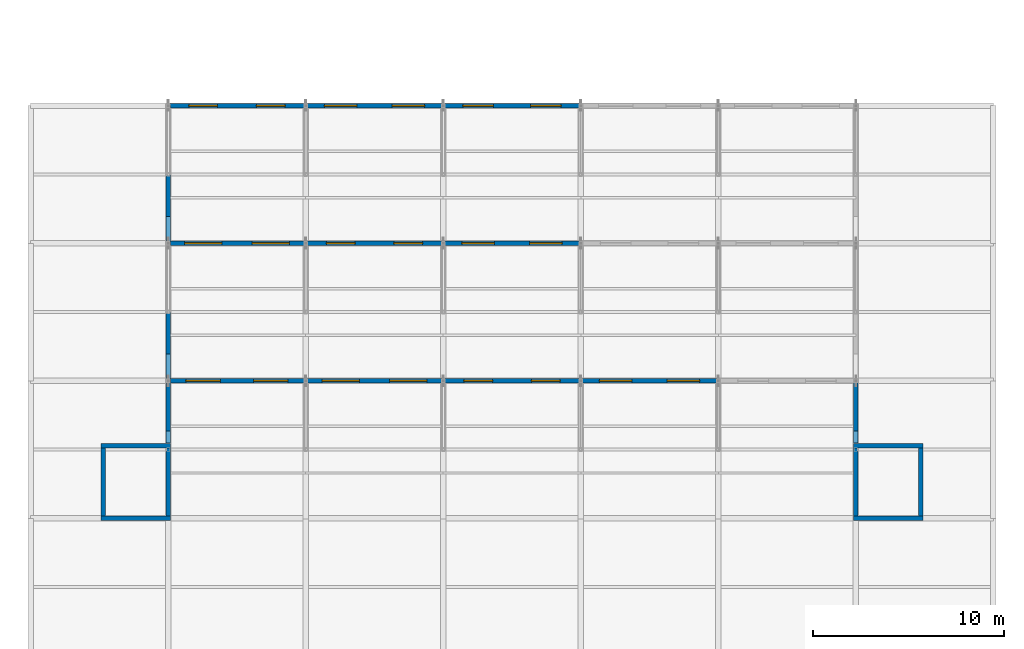
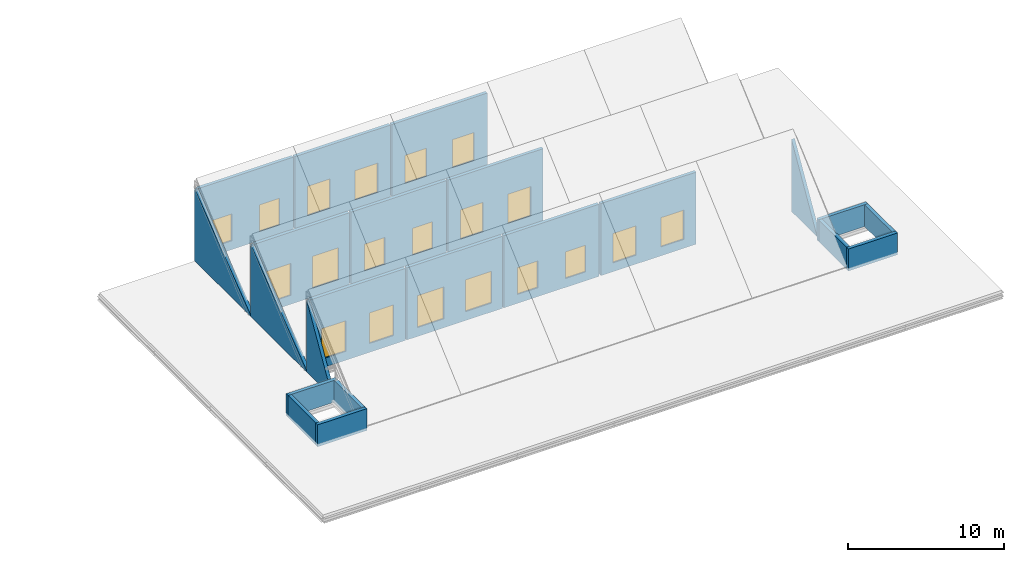
# One storey, part 25 of 31: 22 walls, 20 windows, 20 openings.
"""IFC4 building model written with IfcOpenShell, lengths in metres."""

from ifc_helpers import new_model, si_unit, direction, frame, frame_2d, origin, place, context, subcontext, project, spatial, polyline, rectangle, outline, extrude, material, layer, layer_set, type_object, element, fill, save


model = new_model("IFC4")

# Units and contexts
model_context = context("Model", 3, precision=1e-05, world=origin(), true_north=direction((0.0, 1.0)))
body_context = subcontext(model_context, "Body", "Model", "MODEL_VIEW")
ifc_project = project(units=[si_unit("LENGTHUNIT", "METRE"), si_unit("AREAUNIT", "SQUARE_METRE"), si_unit("VOLUMEUNIT", "CUBIC_METRE"), si_unit("PLANEANGLEUNIT", "RADIAN"), si_unit("MASSUNIT", "GRAM", prefix="KILO")], contexts=[model_context])

# Site, building, storey
site_placement = place(None, origin())
site = spatial("IfcSite", under=ifc_project, at=site_placement, CompositionType="ELEMENT")
building_placement = place(site_placement, origin())
building = spatial("IfcBuilding", under=site, at=building_placement, Name="Zlatovets Crest Museum", CompositionType="ELEMENT")
storey_placement = place(building_placement, frame((0.0, 0.0, 25.199951171875)))
storey = spatial("IfcBuildingStorey", under=building, at=storey_placement, Name="L05", CompositionType="ELEMENT", Elevation=25.199951171875)

# Walls
ifc_material_1 = material(Name="Concrete C35/45", Category="concrete")
ifc_layer_1 = layer(ifc_material_1, 0.25)
ifc_layer_set_1 = layer_set([ifc_layer_1], Name="Concrete C35/45")
wall_type_1 = type_object("IfcWallType", Name="CoreWall_SW02", PredefinedType="SHEAR", material=ifc_layer_set_1)
wall_1_placement = place(storey_placement, frame((61.27490234375, 7.199951171875, -0.219970703125), z_axis=(0.0, 0.0, 1.0), x_axis=(1.0, 0.0, 0.0)))
element("IfcWall", 1, at=wall_1_placement, inside=storey, type_object=wall_type_1, Name="Lift PL3 Overrun Wall S", PredefinedType="SHEAR", context=body_context, shape_type="SweptSolid", body=[
    extrude(rectangle(XDim=3.650146484375, YDim=0.25, at=frame_2d((1.8251953125, 0.0))), origin(), (0.0, 0.0, 1.0), 1.719970703125),
])
wall_2_placement = place(storey_placement, frame((64.800048828125, 7.324951171875, -0.219970703125), z_axis=(0.0, 0.0, 1.0), x_axis=(0.0, 1.0, 0.0)))
element("IfcWall", 2, at=wall_2_placement, inside=storey, type_object=wall_type_1, Name="Lift PL3 Overrun Wall E", PredefinedType="SHEAR", context=body_context, shape_type="SweptSolid", body=[
    extrude(rectangle(XDim=3.550048828125, YDim=0.25, at=frame_2d((1.77490234375, 0.0))), origin(), (0.0, 0.0, 1.0), 1.719970703125),
])
wall_3_placement = place(storey_placement, frame((64.925048828125, 11.0, -0.219970703125), z_axis=(0.0, 0.0, 1.0), x_axis=(-1.0, 0.0, 0.0)))
element("IfcWall", 3, at=wall_3_placement, inside=storey, type_object=wall_type_1, Name="Lift PL3 Overrun Wall N", PredefinedType="SHEAR", context=body_context, shape_type="SweptSolid", body=[
    extrude(rectangle(XDim=3.650146484375, YDim=0.25, at=frame_2d((1.8251953125, 0.0))), origin(), (0.0, 0.0, 1.0), 1.719970703125),
])
wall_4_placement = place(storey_placement, frame((61.39990234375, 10.875, -0.219970703125), z_axis=(0.0, 0.0, 1.0), x_axis=(0.0, -1.0, 0.0)))
element("IfcWall", 4, at=wall_4_placement, inside=storey, type_object=wall_type_1, Name="Lift PL3 Overrun Wall W", PredefinedType="SHEAR", context=body_context, shape_type="SweptSolid", body=[
    extrude(rectangle(XDim=3.550048828125, YDim=0.25, at=frame_2d((1.77490234375, 0.0))), origin(), (0.0, 0.0, 1.0), 1.719970703125),
])
wall_5_placement = place(storey_placement, frame((100.675048828125, 7.199951171875, -0.219970703125), z_axis=(0.0, 0.0, 1.0), x_axis=(1.0, 0.0, 0.0)))
element("IfcWall", 5, at=wall_5_placement, inside=storey, type_object=wall_type_1, Name="Lift PL5 Overrun Wall S", PredefinedType="SHEAR", context=body_context, shape_type="SweptSolid", body=[
    extrude(rectangle(XDim=3.64990234375, YDim=0.25, at=frame_2d((1.824951171875, 0.0))), origin(), (0.0, 0.0, 1.0), 1.719970703125),
])
wall_6_placement = place(storey_placement, frame((104.199951171875, 7.324951171875, -0.219970703125), z_axis=(0.0, 0.0, 1.0), x_axis=(0.0, 1.0, 0.0)))
element("IfcWall", 6, at=wall_6_placement, inside=storey, type_object=wall_type_1, Name="Lift PL5 Overrun Wall E", PredefinedType="SHEAR", context=body_context, shape_type="SweptSolid", body=[
    extrude(rectangle(XDim=3.550048828125, YDim=0.25, at=frame_2d((1.77490234375, 0.0))), origin(), (0.0, 0.0, 1.0), 1.719970703125),
])
wall_7_placement = place(storey_placement, frame((104.324951171875, 11.0, -0.219970703125), z_axis=(0.0, 0.0, 1.0), x_axis=(-1.0, 0.0, 0.0)))
element("IfcWall", 7, at=wall_7_placement, inside=storey, type_object=wall_type_1, Name="Lift PL5 Overrun Wall N", PredefinedType="SHEAR", context=body_context, shape_type="SweptSolid", body=[
    extrude(rectangle(XDim=3.64990234375, YDim=0.25, at=frame_2d((1.824951171875, 0.0))), origin(), (0.0, 0.0, 1.0), 1.719970703125),
])
wall_8_placement = place(storey_placement, frame((100.800048828125, 10.875, -0.219970703125), z_axis=(0.0, 0.0, 1.0), x_axis=(0.0, -1.0, 0.0)))
element("IfcWall", 8, at=wall_8_placement, inside=storey, type_object=wall_type_1, Name="Lift PL5 Overrun Wall W", PredefinedType="SHEAR", context=body_context, shape_type="SweptSolid", body=[
    extrude(rectangle(XDim=3.550048828125, YDim=0.25, at=frame_2d((1.77490234375, 0.0))), origin(), (0.0, 0.0, 1.0), 1.719970703125),
])

# Wall, openings, windows
ifc_material_2 = material(Name="Copper-zinc insulated clerestory and vault tympanum wall", Category="steel")
ifc_layer_2 = layer(ifc_material_2, 0.260009765625)
ifc_layer_set_2 = layer_set([ifc_layer_2], Name="Copper-zinc insulated clerestory and vault tympanum wall")
wall_type_2 = type_object("IfcWallType", Name="ExtWall_EW-04", PredefinedType="STANDARD", material=ifc_layer_set_2)
wall_9_placement = place(storey_placement, frame((71.93994140625, 14.39990234375, 0.02001953125), z_axis=(0.0, 0.0, 1.0), x_axis=(-1.0, 0.0, 0.0)))
wall_9 = element("IfcWall", 9, at=wall_9_placement, inside=storey, type_object=wall_type_2, Name="V2 Tooth 1 North-Light Clerestory Wall Bay 1", PredefinedType="STANDARD", context=body_context, shape_type="SweptSolid", body=[
    extrude(rectangle(XDim=7.079833984375, YDim=0.239990234375, at=frame_2d((3.5400390625, 0.0))), origin(), (0.0, 0.0, 1.0), 5.659912109375),
])
opening_1_placement = place(wall_9_placement, frame((0.8701171875, 0.0, 0.699951171875)))
opening_1 = element("IfcOpeningElement", 10, at=opening_1_placement, cuts=wall_9, Name="Opening RL-NL2", PredefinedType="OPENING", context=body_context, shape_type="SweptSolid", body=[
    extrude(rectangle(XDim=1.800048828125, YDim=2.39990234375, at=frame_2d((0.89990234375, 1.199951171875))), frame((0.0, 0.1298828125, 0.0), z_axis=(0.0, -1.0, 0.0), x_axis=(1.0, 0.0, 0.0)), (0.0, 0.0, 1.0), 0.260009765625),
])
opening_2_placement = place(wall_9_placement, frame((4.409912109375, 0.0, 0.699951171875)))
opening_2 = element("IfcOpeningElement", 11, at=opening_2_placement, cuts=wall_9, Name="Opening RL-NL2", PredefinedType="OPENING", context=body_context, shape_type="SweptSolid", body=[
    extrude(rectangle(XDim=1.800048828125, YDim=2.39990234375, at=frame_2d((0.89990234375, 1.199951171875))), frame((0.0, 0.1298828125, 0.0), z_axis=(0.0, -1.0, 0.0), x_axis=(1.0, 0.0, 0.0)), (0.0, 0.0, 1.0), 0.260009765625),
])
ifc_material_3 = material(Name="Bronze-anodised aluminium frame with low-E triple glass", Category="aluminium")
window_type_1 = type_object("IfcWindowType", Name="Win_RL-NL2", PartitioningType="SINGLE_PANEL", PredefinedType="SKYLIGHT", material=ifc_material_3)
window_1_placement = place(opening_1_placement, origin())
window_1 = element("IfcWindow", 12, at=window_1_placement, inside=storey, type_object=window_type_1, Name="Rooflight V2 Tooth 1 Bay 1.1", OverallHeight=2.39990234375, OverallWidth=1.800048828125, PartitioningType="SINGLE_PANEL", PredefinedType="SKYLIGHT", context=body_context, shape_type="SweptSolid", body=[
    extrude(rectangle(XDim=1.800048828125, YDim=2.39990234375, at=frame_2d((0.89990234375, 1.199951171875))), frame((0.0, 0.030029296875, 0.0), z_axis=(0.0, -1.0, 0.0), x_axis=(1.0, 0.0, 0.0)), (0.0, 0.0, 1.0), 0.06005859375),
])
fill(opening_1, window_1)
window_2_placement = place(opening_2_placement, origin())
window_2 = element("IfcWindow", 13, at=window_2_placement, inside=storey, type_object=window_type_1, Name="Rooflight V2 Tooth 1 Bay 1.2", OverallHeight=2.39990234375, OverallWidth=1.800048828125, PartitioningType="SINGLE_PANEL", PredefinedType="SKYLIGHT", context=body_context, shape_type="SweptSolid", body=[
    extrude(rectangle(XDim=1.800048828125, YDim=2.39990234375, at=frame_2d((0.89990234375, 1.199951171875))), frame((0.0, 0.030029296875, 0.0), z_axis=(0.0, -1.0, 0.0), x_axis=(1.0, 0.0, 0.0)), (0.0, 0.0, 1.0), 0.06005859375),
])
fill(opening_2, window_2)

wall_10_placement = place(storey_placement, frame((79.139892578125, 14.39990234375, 0.02001953125), z_axis=(0.0, 0.0, 1.0), x_axis=(-1.0, 0.0, 0.0)))
wall_10 = element("IfcWall", 14, at=wall_10_placement, inside=storey, type_object=wall_type_2, Name="V2 Tooth 1 North-Light Clerestory Wall Bay 2", PredefinedType="STANDARD", context=body_context, shape_type="SweptSolid", body=[
    extrude(rectangle(XDim=7.079833984375, YDim=0.239990234375, at=frame_2d((3.5400390625, 0.0))), origin(), (0.0, 0.0, 1.0), 5.659912109375),
])
opening_3_placement = place(wall_10_placement, frame((0.794921875, 0.0, 0.699951171875)))
opening_3 = element("IfcOpeningElement", 15, at=opening_3_placement, cuts=wall_10, Name="Opening RL-NL3", PredefinedType="OPENING", context=body_context, shape_type="SweptSolid", body=[
    extrude(rectangle(XDim=1.949951171875, YDim=2.5, at=frame_2d((0.97509765625, 1.25))), frame((0.0, 0.1298828125, 0.0), z_axis=(0.0, -1.0, 0.0), x_axis=(1.0, 0.0, 0.0)), (0.0, 0.0, 1.0), 0.260009765625),
])
opening_4_placement = place(wall_10_placement, frame((4.3349609375, 0.0, 0.699951171875)))
opening_4 = element("IfcOpeningElement", 16, at=opening_4_placement, cuts=wall_10, Name="Opening RL-NL3", PredefinedType="OPENING", context=body_context, shape_type="SweptSolid", body=[
    extrude(rectangle(XDim=1.949951171875, YDim=2.5, at=frame_2d((0.97509765625, 1.25))), frame((0.0, 0.1298828125, 0.0), z_axis=(0.0, -1.0, 0.0), x_axis=(1.0, 0.0, 0.0)), (0.0, 0.0, 1.0), 0.260009765625),
])
window_type_2 = type_object("IfcWindowType", Name="Win_RL-NL3", PartitioningType="SINGLE_PANEL", PredefinedType="SKYLIGHT", material=ifc_material_3)
window_3_placement = place(opening_3_placement, origin())
window_3 = element("IfcWindow", 17, at=window_3_placement, inside=storey, type_object=window_type_2, Name="Rooflight V2 Tooth 1 Bay 2.1", OverallHeight=2.5, OverallWidth=1.949951171875, PartitioningType="SINGLE_PANEL", PredefinedType="SKYLIGHT", context=body_context, shape_type="SweptSolid", body=[
    extrude(rectangle(XDim=1.949951171875, YDim=2.5, at=frame_2d((0.97509765625, 1.25))), frame((0.0, 0.030029296875, 0.0), z_axis=(0.0, -1.0, 0.0), x_axis=(1.0, 0.0, 0.0)), (0.0, 0.0, 1.0), 0.06005859375),
])
fill(opening_3, window_3)
window_4_placement = place(opening_4_placement, origin())
window_4 = element("IfcWindow", 18, at=window_4_placement, inside=storey, type_object=window_type_2, Name="Rooflight V2 Tooth 1 Bay 2.2", OverallHeight=2.5, OverallWidth=1.949951171875, PartitioningType="SINGLE_PANEL", PredefinedType="SKYLIGHT", context=body_context, shape_type="SweptSolid", body=[
    extrude(rectangle(XDim=1.949951171875, YDim=2.5, at=frame_2d((0.97509765625, 1.25))), frame((0.0, 0.030029296875, 0.0), z_axis=(0.0, -1.0, 0.0), x_axis=(1.0, 0.0, 0.0)), (0.0, 0.0, 1.0), 0.06005859375),
])
fill(opening_4, window_4)

wall_11_placement = place(storey_placement, frame((86.340087890625, 14.39990234375, 0.02001953125), z_axis=(0.0, 0.0, 1.0), x_axis=(-1.0, 0.0, 0.0)))
wall_11 = element("IfcWall", 19, at=wall_11_placement, inside=storey, type_object=wall_type_2, Name="V2 Tooth 1 North-Light Clerestory Wall Bay 3", PredefinedType="STANDARD", context=body_context, shape_type="SweptSolid", body=[
    extrude(rectangle(XDim=7.080078125, YDim=0.239990234375, at=frame_2d((3.5400390625, 0.0))), origin(), (0.0, 0.0, 1.0), 5.659912109375),
])
opening_5_placement = place(wall_11_placement, frame((1.02001953125, 0.0, 0.699951171875)))
opening_5 = element("IfcOpeningElement", 20, at=opening_5_placement, cuts=wall_11, Name="Opening RL-NL4", PredefinedType="OPENING", context=body_context, shape_type="SweptSolid", body=[
    extrude(rectangle(XDim=1.5, YDim=2.10009765625, at=frame_2d((0.75, 1.050048828125))), frame((0.0, 0.1298828125, 0.0), z_axis=(0.0, -1.0, 0.0), x_axis=(1.0, 0.0, 0.0)), (0.0, 0.0, 1.0), 0.260009765625),
])
opening_6_placement = place(wall_11_placement, frame((4.56005859375, 0.0, 0.699951171875)))
opening_6 = element("IfcOpeningElement", 21, at=opening_6_placement, cuts=wall_11, Name="Opening RL-NL4", PredefinedType="OPENING", context=body_context, shape_type="SweptSolid", body=[
    extrude(rectangle(XDim=1.5, YDim=2.10009765625, at=frame_2d((0.75, 1.050048828125))), frame((0.0, 0.1298828125, 0.0), z_axis=(0.0, -1.0, 0.0), x_axis=(1.0, 0.0, 0.0)), (0.0, 0.0, 1.0), 0.260009765625),
])
window_type_3 = type_object("IfcWindowType", Name="Win_RL-NL4", PartitioningType="SINGLE_PANEL", PredefinedType="SKYLIGHT", material=ifc_material_3)
window_5_placement = place(opening_5_placement, origin())
window_5 = element("IfcWindow", 22, at=window_5_placement, inside=storey, type_object=window_type_3, Name="Rooflight V2 Tooth 1 Bay 3.1", OverallHeight=2.10009765625, OverallWidth=1.5, PartitioningType="SINGLE_PANEL", PredefinedType="SKYLIGHT", context=body_context, shape_type="SweptSolid", body=[
    extrude(rectangle(XDim=1.5, YDim=2.10009765625, at=frame_2d((0.75, 1.050048828125))), frame((0.0, 0.030029296875, 0.0), z_axis=(0.0, -1.0, 0.0), x_axis=(1.0, 0.0, 0.0)), (0.0, 0.0, 1.0), 0.06005859375),
])
fill(opening_5, window_5)
window_6_placement = place(opening_6_placement, origin())
window_6 = element("IfcWindow", 23, at=window_6_placement, inside=storey, type_object=window_type_3, Name="Rooflight V2 Tooth 1 Bay 3.2", OverallHeight=2.10009765625, OverallWidth=1.5, PartitioningType="SINGLE_PANEL", PredefinedType="SKYLIGHT", context=body_context, shape_type="SweptSolid", body=[
    extrude(rectangle(XDim=1.5, YDim=2.10009765625, at=frame_2d((0.75, 1.050048828125))), frame((0.0, 0.030029296875, 0.0), z_axis=(0.0, -1.0, 0.0), x_axis=(1.0, 0.0, 0.0)), (0.0, 0.0, 1.0), 0.06005859375),
])
fill(opening_6, window_6)

wall_12_placement = place(storey_placement, frame((93.5400390625, 14.39990234375, 0.02001953125), z_axis=(0.0, 0.0, 1.0), x_axis=(-1.0, 0.0, 0.0)))
wall_12 = element("IfcWall", 24, at=wall_12_placement, inside=storey, type_object=wall_type_2, Name="V2 Tooth 1 North-Light Clerestory Wall Bay 4", PredefinedType="STANDARD", context=body_context, shape_type="SweptSolid", body=[
    extrude(rectangle(XDim=7.080078125, YDim=0.239990234375, at=frame_2d((3.5400390625, 0.0))), origin(), (0.0, 0.0, 1.0), 5.659912109375),
])
opening_7_placement = place(wall_12_placement, frame((0.919921875, 0.0, 0.699951171875)))
opening_7 = element("IfcOpeningElement", 25, at=opening_7_placement, cuts=wall_12, Name="Opening RL-NL5", PredefinedType="OPENING", context=body_context, shape_type="SweptSolid", body=[
    extrude(rectangle(XDim=1.699951171875, YDim=2.300048828125, at=frame_2d((0.85009765625, 1.14990234375))), frame((0.0, 0.1298828125, 0.0), z_axis=(0.0, -1.0, 0.0), x_axis=(1.0, 0.0, 0.0)), (0.0, 0.0, 1.0), 0.260009765625),
])
opening_8_placement = place(wall_12_placement, frame((4.4599609375, 0.0, 0.699951171875)))
opening_8 = element("IfcOpeningElement", 26, at=opening_8_placement, cuts=wall_12, Name="Opening RL-NL5", PredefinedType="OPENING", context=body_context, shape_type="SweptSolid", body=[
    extrude(rectangle(XDim=1.699951171875, YDim=2.300048828125, at=frame_2d((0.85009765625, 1.14990234375))), frame((0.0, 0.1298828125, 0.0), z_axis=(0.0, -1.0, 0.0), x_axis=(1.0, 0.0, 0.0)), (0.0, 0.0, 1.0), 0.260009765625),
])
window_type_4 = type_object("IfcWindowType", Name="Win_RL-NL5", PartitioningType="SINGLE_PANEL", PredefinedType="SKYLIGHT", material=ifc_material_3)
window_7_placement = place(opening_7_placement, origin())
window_7 = element("IfcWindow", 27, at=window_7_placement, inside=storey, type_object=window_type_4, Name="Rooflight V2 Tooth 1 Bay 4.1", OverallHeight=2.300048828125, OverallWidth=1.699951171875, PartitioningType="SINGLE_PANEL", PredefinedType="SKYLIGHT", context=body_context, shape_type="SweptSolid", body=[
    extrude(rectangle(XDim=1.699951171875, YDim=2.300048828125, at=frame_2d((0.85009765625, 1.14990234375))), frame((0.0, 0.030029296875, 0.0), z_axis=(0.0, -1.0, 0.0), x_axis=(1.0, 0.0, 0.0)), (0.0, 0.0, 1.0), 0.06005859375),
])
fill(opening_7, window_7)
window_8_placement = place(opening_8_placement, origin())
window_8 = element("IfcWindow", 28, at=window_8_placement, inside=storey, type_object=window_type_4, Name="Rooflight V2 Tooth 1 Bay 4.2", OverallHeight=2.300048828125, OverallWidth=1.699951171875, PartitioningType="SINGLE_PANEL", PredefinedType="SKYLIGHT", context=body_context, shape_type="SweptSolid", body=[
    extrude(rectangle(XDim=1.699951171875, YDim=2.300048828125, at=frame_2d((0.85009765625, 1.14990234375))), frame((0.0, 0.030029296875, 0.0), z_axis=(0.0, -1.0, 0.0), x_axis=(1.0, 0.0, 0.0)), (0.0, 0.0, 1.0), 0.06005859375),
])
fill(opening_8, window_8)

# Walls
for number, where, z_axis, x_axis, name in (
    (29, (64.800048828125, 11.14990234375, 0.02001953125), (0.0, 0.0, 1.0), (0.0, 1.0, 0.0), "V2 Sawtooth Tooth 1 W Gable Wall"),
    (30, (100.800048828125, 11.14990234375, 0.02001953125), (0.0, 0.0, 1.0), (0.0, 1.0, 0.0), "V2 Sawtooth Tooth 1 E Gable Wall"),
):
    element("IfcWall", number, at=place(storey_placement, frame(where, z_axis=z_axis, x_axis=x_axis)), inside=storey, type_object=wall_type_2, Name=name, PredefinedType="STANDARD", context=body_context, shape_type="SweptSolid", body=[
        extrude(outline(polyline([(0.0, 0.0), (3.25, 0.0), (3.25, 5.659912109375), (0.0, 0.130126953125), (0.0, 0.0)])), frame((0.0, 0.1201171875, 0.0), z_axis=(0.0, -1.0, 0.0), x_axis=(1.0, 0.0, 0.0)), (0.0, 0.0, 1.0), 0.239990234375),
    ])

# Wall, openings, windows
wall_13_placement = place(storey_placement, frame((71.93994140625, 21.60009765625, 0.02001953125), z_axis=(0.0, 0.0, 1.0), x_axis=(-1.0, 0.0, 0.0)))
wall_13 = element("IfcWall", 31, at=wall_13_placement, inside=storey, type_object=wall_type_2, Name="V2 Tooth 2 North-Light Clerestory Wall Bay 1", PredefinedType="STANDARD", context=body_context, shape_type="SweptSolid", body=[
    extrude(rectangle(XDim=7.079833984375, YDim=0.239990234375, at=frame_2d((3.5400390625, 0.0))), origin(), (0.0, 0.0, 1.0), 5.659912109375),
])
opening_9_placement = place(wall_13_placement, frame((0.794921875, 0.0, 0.699951171875)))
opening_9 = element("IfcOpeningElement", 32, at=opening_9_placement, cuts=wall_13, Name="Opening RL-NL3", PredefinedType="OPENING", context=body_context, shape_type="SweptSolid", body=[
    extrude(rectangle(XDim=1.949951171875, YDim=2.5, at=frame_2d((0.97509765625, 1.25))), frame((0.0, 0.1298828125, 0.0), z_axis=(0.0, -1.0, 0.0), x_axis=(1.0, 0.0, 0.0)), (0.0, 0.0, 1.0), 0.260009765625),
])
opening_10_placement = place(wall_13_placement, frame((4.3349609375, 0.0, 0.699951171875)))
opening_10 = element("IfcOpeningElement", 33, at=opening_10_placement, cuts=wall_13, Name="Opening RL-NL3", PredefinedType="OPENING", context=body_context, shape_type="SweptSolid", body=[
    extrude(rectangle(XDim=1.949951171875, YDim=2.5, at=frame_2d((0.97509765625, 1.25))), frame((0.0, 0.1298828125, 0.0), z_axis=(0.0, -1.0, 0.0), x_axis=(1.0, 0.0, 0.0)), (0.0, 0.0, 1.0), 0.260009765625),
])
window_9_placement = place(opening_9_placement, origin())
window_9 = element("IfcWindow", 34, at=window_9_placement, inside=storey, type_object=window_type_2, Name="Rooflight V2 Tooth 2 Bay 1.1", OverallHeight=2.5, OverallWidth=1.949951171875, PartitioningType="SINGLE_PANEL", PredefinedType="SKYLIGHT", context=body_context, shape_type="SweptSolid", body=[
    extrude(rectangle(XDim=1.949951171875, YDim=2.5, at=frame_2d((0.97509765625, 1.25))), frame((0.0, 0.030029296875, 0.0), z_axis=(0.0, -1.0, 0.0), x_axis=(1.0, 0.0, 0.0)), (0.0, 0.0, 1.0), 0.06005859375),
])
fill(opening_9, window_9)
window_10_placement = place(opening_10_placement, origin())
window_10 = element("IfcWindow", 35, at=window_10_placement, inside=storey, type_object=window_type_2, Name="Rooflight V2 Tooth 2 Bay 1.2", OverallHeight=2.5, OverallWidth=1.949951171875, PartitioningType="SINGLE_PANEL", PredefinedType="SKYLIGHT", context=body_context, shape_type="SweptSolid", body=[
    extrude(rectangle(XDim=1.949951171875, YDim=2.5, at=frame_2d((0.97509765625, 1.25))), frame((0.0, 0.030029296875, 0.0), z_axis=(0.0, -1.0, 0.0), x_axis=(1.0, 0.0, 0.0)), (0.0, 0.0, 1.0), 0.06005859375),
])
fill(opening_10, window_10)

wall_14_placement = place(storey_placement, frame((79.139892578125, 21.60009765625, 0.02001953125), z_axis=(0.0, 0.0, 1.0), x_axis=(-1.0, 0.0, 0.0)))
wall_14 = element("IfcWall", 36, at=wall_14_placement, inside=storey, type_object=wall_type_2, Name="V2 Tooth 2 North-Light Clerestory Wall Bay 2", PredefinedType="STANDARD", context=body_context, shape_type="SweptSolid", body=[
    extrude(rectangle(XDim=7.079833984375, YDim=0.239990234375, at=frame_2d((3.5400390625, 0.0))), origin(), (0.0, 0.0, 1.0), 5.659912109375),
])
opening_11_placement = place(wall_14_placement, frame((1.02001953125, 0.0, 0.699951171875)))
opening_11 = element("IfcOpeningElement", 37, at=opening_11_placement, cuts=wall_14, Name="Opening RL-NL4", PredefinedType="OPENING", context=body_context, shape_type="SweptSolid", body=[
    extrude(rectangle(XDim=1.5, YDim=2.10009765625, at=frame_2d((0.75, 1.050048828125))), frame((0.0, 0.1298828125, 0.0), z_axis=(0.0, -1.0, 0.0), x_axis=(1.0, 0.0, 0.0)), (0.0, 0.0, 1.0), 0.260009765625),
])
opening_12_placement = place(wall_14_placement, frame((4.56005859375, 0.0, 0.699951171875)))
opening_12 = element("IfcOpeningElement", 38, at=opening_12_placement, cuts=wall_14, Name="Opening RL-NL4", PredefinedType="OPENING", context=body_context, shape_type="SweptSolid", body=[
    extrude(rectangle(XDim=1.5, YDim=2.10009765625, at=frame_2d((0.75, 1.050048828125))), frame((0.0, 0.1298828125, 0.0), z_axis=(0.0, -1.0, 0.0), x_axis=(1.0, 0.0, 0.0)), (0.0, 0.0, 1.0), 0.260009765625),
])
window_11_placement = place(opening_11_placement, origin())
window_11 = element("IfcWindow", 39, at=window_11_placement, inside=storey, type_object=window_type_3, Name="Rooflight V2 Tooth 2 Bay 2.1", OverallHeight=2.10009765625, OverallWidth=1.5, PartitioningType="SINGLE_PANEL", PredefinedType="SKYLIGHT", context=body_context, shape_type="SweptSolid", body=[
    extrude(rectangle(XDim=1.5, YDim=2.10009765625, at=frame_2d((0.75, 1.050048828125))), frame((0.0, 0.030029296875, 0.0), z_axis=(0.0, -1.0, 0.0), x_axis=(1.0, 0.0, 0.0)), (0.0, 0.0, 1.0), 0.06005859375),
])
fill(opening_11, window_11)
window_12_placement = place(opening_12_placement, origin())
window_12 = element("IfcWindow", 40, at=window_12_placement, inside=storey, type_object=window_type_3, Name="Rooflight V2 Tooth 2 Bay 2.2", OverallHeight=2.10009765625, OverallWidth=1.5, PartitioningType="SINGLE_PANEL", PredefinedType="SKYLIGHT", context=body_context, shape_type="SweptSolid", body=[
    extrude(rectangle(XDim=1.5, YDim=2.10009765625, at=frame_2d((0.75, 1.050048828125))), frame((0.0, 0.030029296875, 0.0), z_axis=(0.0, -1.0, 0.0), x_axis=(1.0, 0.0, 0.0)), (0.0, 0.0, 1.0), 0.06005859375),
])
fill(opening_12, window_12)

wall_15_placement = place(storey_placement, frame((86.340087890625, 21.60009765625, 0.02001953125), z_axis=(0.0, 0.0, 1.0), x_axis=(-1.0, 0.0, 0.0)))
wall_15 = element("IfcWall", 41, at=wall_15_placement, inside=storey, type_object=wall_type_2, Name="V2 Tooth 2 North-Light Clerestory Wall Bay 3", PredefinedType="STANDARD", context=body_context, shape_type="SweptSolid", body=[
    extrude(rectangle(XDim=7.080078125, YDim=0.239990234375, at=frame_2d((3.5400390625, 0.0))), origin(), (0.0, 0.0, 1.0), 5.659912109375),
])
opening_13_placement = place(wall_15_placement, frame((0.919921875, 0.0, 0.699951171875)))
opening_13 = element("IfcOpeningElement", 42, at=opening_13_placement, cuts=wall_15, Name="Opening RL-NL5", PredefinedType="OPENING", context=body_context, shape_type="SweptSolid", body=[
    extrude(rectangle(XDim=1.699951171875, YDim=2.300048828125, at=frame_2d((0.85009765625, 1.14990234375))), frame((0.0, 0.1298828125, 0.0), z_axis=(0.0, -1.0, 0.0), x_axis=(1.0, 0.0, 0.0)), (0.0, 0.0, 1.0), 0.260009765625),
])
opening_14_placement = place(wall_15_placement, frame((4.4599609375, 0.0, 0.699951171875)))
opening_14 = element("IfcOpeningElement", 43, at=opening_14_placement, cuts=wall_15, Name="Opening RL-NL5", PredefinedType="OPENING", context=body_context, shape_type="SweptSolid", body=[
    extrude(rectangle(XDim=1.699951171875, YDim=2.300048828125, at=frame_2d((0.85009765625, 1.14990234375))), frame((0.0, 0.1298828125, 0.0), z_axis=(0.0, -1.0, 0.0), x_axis=(1.0, 0.0, 0.0)), (0.0, 0.0, 1.0), 0.260009765625),
])
window_13_placement = place(opening_13_placement, origin())
window_13 = element("IfcWindow", 44, at=window_13_placement, inside=storey, type_object=window_type_4, Name="Rooflight V2 Tooth 2 Bay 3.1", OverallHeight=2.300048828125, OverallWidth=1.699951171875, PartitioningType="SINGLE_PANEL", PredefinedType="SKYLIGHT", context=body_context, shape_type="SweptSolid", body=[
    extrude(rectangle(XDim=1.699951171875, YDim=2.300048828125, at=frame_2d((0.85009765625, 1.14990234375))), frame((0.0, 0.030029296875, 0.0), z_axis=(0.0, -1.0, 0.0), x_axis=(1.0, 0.0, 0.0)), (0.0, 0.0, 1.0), 0.06005859375),
])
fill(opening_13, window_13)
window_14_placement = place(opening_14_placement, origin())
window_14 = element("IfcWindow", 45, at=window_14_placement, inside=storey, type_object=window_type_4, Name="Rooflight V2 Tooth 2 Bay 3.2", OverallHeight=2.300048828125, OverallWidth=1.699951171875, PartitioningType="SINGLE_PANEL", PredefinedType="SKYLIGHT", context=body_context, shape_type="SweptSolid", body=[
    extrude(rectangle(XDim=1.699951171875, YDim=2.300048828125, at=frame_2d((0.85009765625, 1.14990234375))), frame((0.0, 0.030029296875, 0.0), z_axis=(0.0, -1.0, 0.0), x_axis=(1.0, 0.0, 0.0)), (0.0, 0.0, 1.0), 0.06005859375),
])
fill(opening_14, window_14)

# Wall
wall_16_placement = place(storey_placement, frame((64.800048828125, 14.39990234375, 0.02001953125), z_axis=(0.0, 0.0, 1.0), x_axis=(0.0, 1.0, 0.0)))
element("IfcWall", 46, at=wall_16_placement, inside=storey, type_object=wall_type_2, Name="V2 Sawtooth Tooth 2 W Gable Wall", PredefinedType="STANDARD", context=body_context, shape_type="SweptSolid", body=[
    extrude(outline(polyline([(0.0, 0.0), (7.2001953125, 0.0), (7.199951171875, 5.659912109375), (0.0, 0.130126953125), (0.0, 0.0)])), frame((0.0, 0.1201171875, 0.0), z_axis=(0.0, -1.0, 0.0), x_axis=(1.0, 0.0, 0.0)), (0.0, 0.0, 1.0), 0.239990234375),
])

# Wall, openings, windows
wall_17_placement = place(storey_placement, frame((71.93994140625, 28.800048828125, 0.02001953125), z_axis=(0.0, 0.0, 1.0), x_axis=(-1.0, 0.0, 0.0)))
wall_17 = element("IfcWall", 47, at=wall_17_placement, inside=storey, type_object=wall_type_2, Name="V2 Tooth 3 North-Light Clerestory Wall Bay 1", PredefinedType="STANDARD", context=body_context, shape_type="SweptSolid", body=[
    extrude(rectangle(XDim=7.079833984375, YDim=0.239990234375, at=frame_2d((3.5400390625, 0.0))), origin(), (0.0, 0.0, 1.0), 5.659912109375),
])
opening_15_placement = place(wall_17_placement, frame((1.02001953125, 0.0, 0.699951171875)))
opening_15 = element("IfcOpeningElement", 48, at=opening_15_placement, cuts=wall_17, Name="Opening RL-NL4", PredefinedType="OPENING", context=body_context, shape_type="SweptSolid", body=[
    extrude(rectangle(XDim=1.5, YDim=2.10009765625, at=frame_2d((0.75, 1.050048828125))), frame((0.0, 0.1298828125, 0.0), z_axis=(0.0, -1.0, 0.0), x_axis=(1.0, 0.0, 0.0)), (0.0, 0.0, 1.0), 0.260009765625),
])
opening_16_placement = place(wall_17_placement, frame((4.56005859375, 0.0, 0.699951171875)))
opening_16 = element("IfcOpeningElement", 49, at=opening_16_placement, cuts=wall_17, Name="Opening RL-NL4", PredefinedType="OPENING", context=body_context, shape_type="SweptSolid", body=[
    extrude(rectangle(XDim=1.5, YDim=2.10009765625, at=frame_2d((0.75, 1.050048828125))), frame((0.0, 0.1298828125, 0.0), z_axis=(0.0, -1.0, 0.0), x_axis=(1.0, 0.0, 0.0)), (0.0, 0.0, 1.0), 0.260009765625),
])
window_15_placement = place(opening_15_placement, origin())
window_15 = element("IfcWindow", 50, at=window_15_placement, inside=storey, type_object=window_type_3, Name="Rooflight V2 Tooth 3 Bay 1.1", OverallHeight=2.10009765625, OverallWidth=1.5, PartitioningType="SINGLE_PANEL", PredefinedType="SKYLIGHT", context=body_context, shape_type="SweptSolid", body=[
    extrude(rectangle(XDim=1.5, YDim=2.10009765625, at=frame_2d((0.75, 1.050048828125))), frame((0.0, 0.030029296875, 0.0), z_axis=(0.0, -1.0, 0.0), x_axis=(1.0, 0.0, 0.0)), (0.0, 0.0, 1.0), 0.06005859375),
])
fill(opening_15, window_15)
window_16_placement = place(opening_16_placement, origin())
window_16 = element("IfcWindow", 51, at=window_16_placement, inside=storey, type_object=window_type_3, Name="Rooflight V2 Tooth 3 Bay 1.2", OverallHeight=2.10009765625, OverallWidth=1.5, PartitioningType="SINGLE_PANEL", PredefinedType="SKYLIGHT", context=body_context, shape_type="SweptSolid", body=[
    extrude(rectangle(XDim=1.5, YDim=2.10009765625, at=frame_2d((0.75, 1.050048828125))), frame((0.0, 0.030029296875, 0.0), z_axis=(0.0, -1.0, 0.0), x_axis=(1.0, 0.0, 0.0)), (0.0, 0.0, 1.0), 0.06005859375),
])
fill(opening_16, window_16)

wall_18_placement = place(storey_placement, frame((79.139892578125, 28.800048828125, 0.02001953125), z_axis=(0.0, 0.0, 1.0), x_axis=(-1.0, 0.0, 0.0)))
wall_18 = element("IfcWall", 52, at=wall_18_placement, inside=storey, type_object=wall_type_2, Name="V2 Tooth 3 North-Light Clerestory Wall Bay 2", PredefinedType="STANDARD", context=body_context, shape_type="SweptSolid", body=[
    extrude(rectangle(XDim=7.079833984375, YDim=0.239990234375, at=frame_2d((3.5400390625, 0.0))), origin(), (0.0, 0.0, 1.0), 5.659912109375),
])
opening_17_placement = place(wall_18_placement, frame((0.919921875, 0.0, 0.699951171875)))
opening_17 = element("IfcOpeningElement", 53, at=opening_17_placement, cuts=wall_18, Name="Opening RL-NL5", PredefinedType="OPENING", context=body_context, shape_type="SweptSolid", body=[
    extrude(rectangle(XDim=1.699951171875, YDim=2.300048828125, at=frame_2d((0.85009765625, 1.14990234375))), frame((0.0, 0.1298828125, 0.0), z_axis=(0.0, -1.0, 0.0), x_axis=(1.0, 0.0, 0.0)), (0.0, 0.0, 1.0), 0.260009765625),
])
opening_18_placement = place(wall_18_placement, frame((4.4599609375, 0.0, 0.699951171875)))
opening_18 = element("IfcOpeningElement", 54, at=opening_18_placement, cuts=wall_18, Name="Opening RL-NL5", PredefinedType="OPENING", context=body_context, shape_type="SweptSolid", body=[
    extrude(rectangle(XDim=1.699951171875, YDim=2.300048828125, at=frame_2d((0.85009765625, 1.14990234375))), frame((0.0, 0.1298828125, 0.0), z_axis=(0.0, -1.0, 0.0), x_axis=(1.0, 0.0, 0.0)), (0.0, 0.0, 1.0), 0.260009765625),
])
window_17_placement = place(opening_17_placement, origin())
window_17 = element("IfcWindow", 55, at=window_17_placement, inside=storey, type_object=window_type_4, Name="Rooflight V2 Tooth 3 Bay 2.1", OverallHeight=2.300048828125, OverallWidth=1.699951171875, PartitioningType="SINGLE_PANEL", PredefinedType="SKYLIGHT", context=body_context, shape_type="SweptSolid", body=[
    extrude(rectangle(XDim=1.699951171875, YDim=2.300048828125, at=frame_2d((0.85009765625, 1.14990234375))), frame((0.0, 0.030029296875, 0.0), z_axis=(0.0, -1.0, 0.0), x_axis=(1.0, 0.0, 0.0)), (0.0, 0.0, 1.0), 0.06005859375),
])
fill(opening_17, window_17)
window_18_placement = place(opening_18_placement, origin())
window_18 = element("IfcWindow", 56, at=window_18_placement, inside=storey, type_object=window_type_4, Name="Rooflight V2 Tooth 3 Bay 2.2", OverallHeight=2.300048828125, OverallWidth=1.699951171875, PartitioningType="SINGLE_PANEL", PredefinedType="SKYLIGHT", context=body_context, shape_type="SweptSolid", body=[
    extrude(rectangle(XDim=1.699951171875, YDim=2.300048828125, at=frame_2d((0.85009765625, 1.14990234375))), frame((0.0, 0.030029296875, 0.0), z_axis=(0.0, -1.0, 0.0), x_axis=(1.0, 0.0, 0.0)), (0.0, 0.0, 1.0), 0.06005859375),
])
fill(opening_18, window_18)

wall_19_placement = place(storey_placement, frame((86.340087890625, 28.800048828125, 0.02001953125), z_axis=(0.0, 0.0, 1.0), x_axis=(-1.0, 0.0, 0.0)))
wall_19 = element("IfcWall", 57, at=wall_19_placement, inside=storey, type_object=wall_type_2, Name="V2 Tooth 3 North-Light Clerestory Wall Bay 3", PredefinedType="STANDARD", context=body_context, shape_type="SweptSolid", body=[
    extrude(rectangle(XDim=7.080078125, YDim=0.239990234375, at=frame_2d((3.5400390625, 0.0))), origin(), (0.0, 0.0, 1.0), 5.659912109375),
])
opening_19_placement = place(wall_19_placement, frame((0.969970703125, 0.0, 0.699951171875)))
opening_19 = element("IfcOpeningElement", 58, at=opening_19_placement, cuts=wall_19, Name="Opening RL-NL1", PredefinedType="OPENING", context=body_context, shape_type="SweptSolid", body=[
    extrude(rectangle(XDim=1.60009765625, YDim=2.199951171875, at=frame_2d((0.800048828125, 1.10009765625))), frame((0.0, 0.1298828125, 0.0), z_axis=(0.0, -1.0, 0.0), x_axis=(1.0, 0.0, 0.0)), (0.0, 0.0, 1.0), 0.260009765625),
])
opening_20_placement = place(wall_19_placement, frame((4.510009765625, 0.0, 0.699951171875)))
opening_20 = element("IfcOpeningElement", 59, at=opening_20_placement, cuts=wall_19, Name="Opening RL-NL1", PredefinedType="OPENING", context=body_context, shape_type="SweptSolid", body=[
    extrude(rectangle(XDim=1.60009765625, YDim=2.199951171875, at=frame_2d((0.800048828125, 1.10009765625))), frame((0.0, 0.1298828125, 0.0), z_axis=(0.0, -1.0, 0.0), x_axis=(1.0, 0.0, 0.0)), (0.0, 0.0, 1.0), 0.260009765625),
])
window_type_5 = type_object("IfcWindowType", Name="Win_RL-NL1", PartitioningType="SINGLE_PANEL", PredefinedType="SKYLIGHT", material=ifc_material_3)
window_19_placement = place(opening_19_placement, origin())
window_19 = element("IfcWindow", 60, at=window_19_placement, inside=storey, type_object=window_type_5, Name="Rooflight V2 Tooth 3 Bay 3.1", OverallHeight=2.199951171875, OverallWidth=1.60009765625, PartitioningType="SINGLE_PANEL", PredefinedType="SKYLIGHT", context=body_context, shape_type="SweptSolid", body=[
    extrude(rectangle(XDim=1.60009765625, YDim=2.199951171875, at=frame_2d((0.800048828125, 1.10009765625))), frame((0.0, 0.030029296875, 0.0), z_axis=(0.0, -1.0, 0.0), x_axis=(1.0, 0.0, 0.0)), (0.0, 0.0, 1.0), 0.06005859375),
])
fill(opening_19, window_19)
window_20_placement = place(opening_20_placement, origin())
window_20 = element("IfcWindow", 61, at=window_20_placement, inside=storey, type_object=window_type_5, Name="Rooflight V2 Tooth 3 Bay 3.2", OverallHeight=2.199951171875, OverallWidth=1.60009765625, PartitioningType="SINGLE_PANEL", PredefinedType="SKYLIGHT", context=body_context, shape_type="SweptSolid", body=[
    extrude(rectangle(XDim=1.60009765625, YDim=2.199951171875, at=frame_2d((0.800048828125, 1.10009765625))), frame((0.0, 0.030029296875, 0.0), z_axis=(0.0, -1.0, 0.0), x_axis=(1.0, 0.0, 0.0)), (0.0, 0.0, 1.0), 0.06005859375),
])
fill(opening_20, window_20)

# Wall
wall_20_placement = place(storey_placement, frame((64.800048828125, 21.60009765625, 0.02001953125), z_axis=(0.0, 0.0, 1.0), x_axis=(0.0, 1.0, 0.0)))
element("IfcWall", 62, at=wall_20_placement, inside=storey, type_object=wall_type_2, Name="V2 Sawtooth Tooth 3 W Gable Wall", PredefinedType="STANDARD", context=body_context, shape_type="SweptSolid", body=[
    extrude(outline(polyline([(0.0, 0.0), (7.199951171875, 0.0), (7.199951171875, 5.659912109375), (0.0, 0.130126953125), (0.0, 0.0)])), frame((0.0, 0.1201171875, 0.0), z_axis=(0.0, -1.0, 0.0), x_axis=(1.0, 0.0, 0.0)), (0.0, 0.0, 1.0), 0.239990234375),
])

save(model, "model.ifc")
